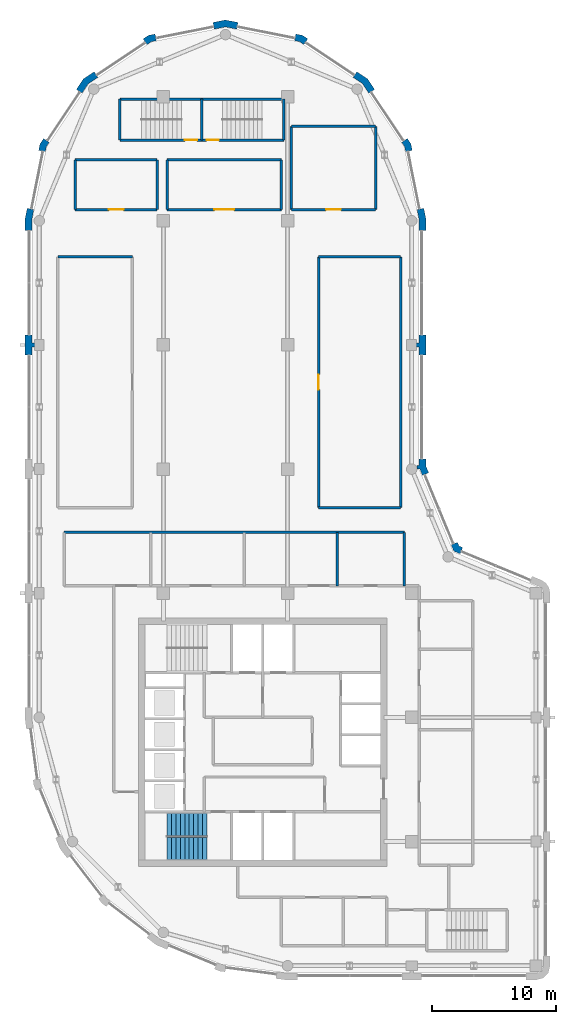
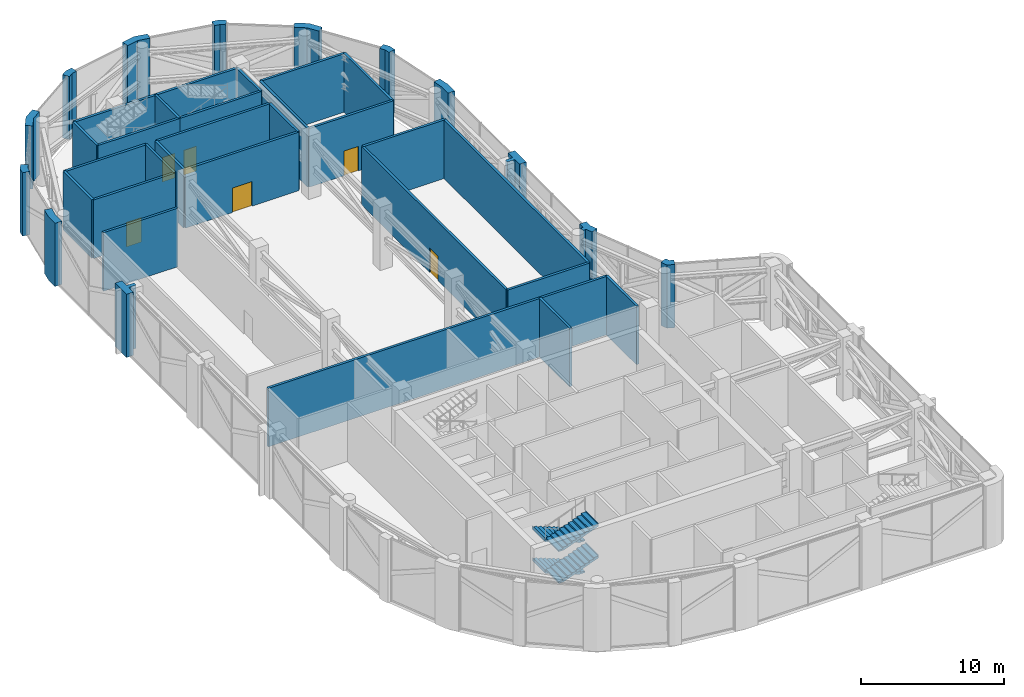
# One storey, part 15 of 18: 40 walls, 6 doors, 4 stair flights, 6 openings, 1 element without a shape of its own.
"""IFC4 building model written with IfcOpenShell, lengths in metres."""

from ifc_helpers import new_model, si_unit, direction, frame, frame_2d, origin, place, context, subcontext, project, spatial, polyline, rectangle, outline, extrude, material, layer, layer_set, type_object, element, fill, aggregate, save


model = new_model("IFC4")

# Units and contexts
model_context = context("Model", 3, precision=1e-05, world=origin(), true_north=direction((0.0, 1.0)))
body_context = subcontext(model_context, "Body", "Model", "MODEL_VIEW")
ifc_project = project(units=[si_unit("LENGTHUNIT", "METRE"), si_unit("AREAUNIT", "SQUARE_METRE"), si_unit("VOLUMEUNIT", "CUBIC_METRE"), si_unit("PLANEANGLEUNIT", "RADIAN"), si_unit("MASSUNIT", "GRAM", prefix="KILO")], contexts=[model_context])

# Site, building, storey
site_placement = place(None, origin())
site = spatial("IfcSite", under=ifc_project, at=site_placement, CompositionType="ELEMENT")
building_placement = place(site_placement, origin())
building = spatial("IfcBuilding", under=site, at=building_placement, Name="Qaws Garden Tower", CompositionType="ELEMENT")
storey_placement = place(building_placement, frame((0.0, 0.0, 352.800048828125)))
storey = spatial("IfcBuildingStorey", under=building, at=storey_placement, Name="L86", CompositionType="ELEMENT", Elevation=352.800048828125)

# Walls
ifc_material_1 = material(Name="Clay facing brick masonry", Category="masonry")
ifc_layer_1 = layer(ifc_material_1, 0.550048828125)
ifc_layer_set_1 = layer_set([ifc_layer_1], Name="Clay facing brick masonry")
wall_type_1 = type_object("IfcWallType", Name="Brick kink pier 550 x 600", PredefinedType="SOLIDWALL", material=ifc_layer_set_1)
placement = place(storey_placement, origin())
element("IfcWall", 1, at=placement, inside=storey, type_object=wall_type_1, Name="E-L86-pier-10", PredefinedType="SOLIDWALL", context=body_context, shape_type="SweptSolid", body=[
    extrude(outline(polyline([(29.8974609375, 65.64111328125), (30.044677734375, 65.67041015625), (29.94140625, 66.18896484375), (29.647705078125, 66.628662109375), (29.52294921875, 66.545166015625), (29.1904296875, 66.322998046875), (29.42333984375, 65.974365234375), (29.505126953125, 65.56298828125), (29.8974609375, 65.64111328125)])), origin(), (0.0, 0.0, 1.0), 5.39990234375),
])
element("IfcWall", 2, at=placement, inside=storey, type_object=wall_type_1, Name="E-L86-pier-12", PredefinedType="SOLIDWALL", context=body_context, shape_type="SweptSolid", body=[
    extrude(outline(polyline([(21.545166015625, 74.52294921875), (21.628662109375, 74.647705078125), (21.18896484375, 74.94140625), (20.67041015625, 75.044677734375), (20.64111328125, 74.8974609375), (20.56298828125, 74.505126953125), (20.974365234375, 74.42333984375), (21.322998046875, 74.1904296875), (21.545166015625, 74.52294921875)])), origin(), (0.0, 0.0, 1.0), 5.39990234375),
])
element("IfcWall", 3, at=placement, inside=storey, type_object=wall_type_1, Name="E-L86-pier-14", PredefinedType="SOLIDWALL", context=body_context, shape_type="SweptSolid", body=[
    extrude(outline(polyline([(9.35888671875, 74.8974609375), (9.32958984375, 75.044677734375), (8.81103515625, 74.94140625), (8.371337890625, 74.647705078125), (8.454833984375, 74.52294921875), (8.677001953125, 74.1904296875), (9.025634765625, 74.42333984375), (9.43701171875, 74.505126953125), (9.35888671875, 74.8974609375)])), origin(), (0.0, 0.0, 1.0), 5.39990234375),
])
element("IfcWall", 4, at=placement, inside=storey, type_object=wall_type_1, Name="E-L86-pier-16", PredefinedType="SOLIDWALL", context=body_context, shape_type="SweptSolid", body=[
    extrude(outline(polyline([(0.47705078125, 66.545166015625), (0.352294921875, 66.628662109375), (0.05859375, 66.18896484375), (-0.044677734375, 65.67041015625), (0.1025390625, 65.64111328125), (0.494873046875, 65.56298828125), (0.57666015625, 65.974365234375), (0.8095703125, 66.322998046875), (0.47705078125, 66.545166015625)])), origin(), (0.0, 0.0, 1.0), 5.39990234375),
])
ifc_material_2 = material(Name="Clay facing brick masonry", Category="masonry")
ifc_layer_2 = layer(ifc_material_2, 0.550048828125)
ifc_layer_set_2 = layer_set([ifc_layer_2], Name="Clay facing brick masonry")
wall_type_2 = type_object("IfcWallType", Name="Brick pier 550 x 1600", PredefinedType="SOLIDWALL", material=ifc_layer_set_2)
element("IfcWall", 5, at=placement, inside=storey, type_object=wall_type_2, Name="E-L86-pier-06", PredefinedType="SOLIDWALL", context=body_context, shape_type="SweptSolid", body=[
    extrude(outline(polyline([(34.05078125, 33.546630859375), (34.108154296875, 33.685302734375), (33.80908203125, 33.80908203125), (33.685302734375, 34.108154296875), (33.546630859375, 34.05078125), (33.177001953125, 33.897705078125), (33.38818359375, 33.38818359375), (33.897705078125, 33.177001953125), (34.05078125, 33.546630859375)])), origin(), (0.0, 0.0, 1.0), 5.39990234375),
])
element("IfcWall", 6, at=placement, inside=storey, type_object=wall_type_2, Name="E-L86-pier-07", PredefinedType="SOLIDWALL", context=body_context, shape_type="SweptSolid", body=[
    extrude(outline(polyline([(30.6201171875, 39.995361328125), (30.6201171875, 40.071044921875), (30.860595703125, 39.490478515625), (31.22998046875, 39.6435546875), (31.36865234375, 39.700927734375), (31.14990234375, 40.228759765625), (31.14990234375, 40.800048828125), (31.0, 40.800048828125), (30.60009765625, 40.800048828125), (30.60009765625, 40.29541015625), (30.425048828125, 40.29541015625), (30.425048828125, 39.995361328125), (30.6201171875, 39.995361328125)])), origin(), (0.0, 0.0, 1.0), 5.39990234375),
])
element("IfcWall", 7, at=placement, inside=storey, type_object=wall_type_2, Name="E-L86-pier-08", PredefinedType="SOLIDWALL", context=body_context, shape_type="SweptSolid", body=[
    extrude(outline(polyline([(30.0, 49.85009765625), (30.60009765625, 49.85009765625), (30.60009765625, 49.199951171875), (31.0, 49.199951171875), (31.14990234375, 49.199951171875), (31.14990234375, 50.0), (31.14990234375, 50.800048828125), (31.0, 50.800048828125), (30.60009765625, 50.800048828125), (30.60009765625, 50.14990234375), (30.0, 50.14990234375), (30.0, 49.85009765625)])), origin(), (0.0, 0.0, 1.0), 5.39990234375),
])
element("IfcWall", 8, at=placement, inside=storey, type_object=wall_type_2, Name="E-L86-pier-09", PredefinedType="SOLIDWALL", context=body_context, shape_type="SweptSolid", body=[
    extrude(outline(polyline([(31.0, 59.199951171875), (31.14990234375, 59.199951171875), (31.14990234375, 60.11328125), (30.971923828125, 61.009033203125), (30.82470703125, 60.979736328125), (30.432373046875, 60.901611328125), (30.60009765625, 60.05908203125), (30.60009765625, 59.199951171875), (31.0, 59.199951171875)])), origin(), (0.0, 0.0, 1.0), 5.39990234375),
])
element("IfcWall", 9, at=placement, inside=storey, type_object=wall_type_2, Name="E-L86-pier-11", PredefinedType="SOLIDWALL", context=body_context, shape_type="SweptSolid", body=[
    extrude(outline(polyline([(26.882568359375, 70.4970703125), (27.00732421875, 70.580322265625), (26.435791015625, 71.435791015625), (25.580322265625, 72.00732421875), (25.4970703125, 71.882568359375), (25.274658203125, 71.550048828125), (26.0390625, 71.0390625), (26.550048828125, 70.274658203125), (26.882568359375, 70.4970703125)])), origin(), (0.0, 0.0, 1.0), 5.39990234375),
])
element("IfcWall", 10, at=placement, inside=storey, type_object=wall_type_2, Name="E-L86-pier-13", PredefinedType="SOLIDWALL", context=body_context, shape_type="SweptSolid", body=[
    extrude(outline(polyline([(15.979736328125, 75.82470703125), (16.009033203125, 75.971923828125), (15.0, 76.172607421875), (13.990966796875, 75.971923828125), (14.020263671875, 75.82470703125), (14.098388671875, 75.432373046875), (15.0, 75.61181640625), (15.901611328125, 75.432373046875), (15.979736328125, 75.82470703125)])), origin(), (0.0, 0.0, 1.0), 5.39990234375),
])
element("IfcWall", 11, at=placement, inside=storey, type_object=wall_type_2, Name="E-L86-pier-15", PredefinedType="SOLIDWALL", context=body_context, shape_type="SweptSolid", body=[
    extrude(outline(polyline([(4.5029296875, 71.882568359375), (4.419677734375, 72.00732421875), (3.564208984375, 71.435791015625), (2.99267578125, 70.580322265625), (3.117431640625, 70.4970703125), (3.449951171875, 70.274658203125), (3.9609375, 71.0390625), (4.725341796875, 71.550048828125), (4.5029296875, 71.882568359375)])), origin(), (0.0, 0.0, 1.0), 5.39990234375),
])
element("IfcWall", 12, at=placement, inside=storey, type_object=wall_type_2, Name="E-L86-pier-17", PredefinedType="SOLIDWALL", context=body_context, shape_type="SweptSolid", body=[
    extrude(outline(polyline([(-0.82470703125, 60.979736328125), (-0.971923828125, 61.009033203125), (-1.14990234375, 60.11328125), (-1.14990234375, 59.199951171875), (-1.0, 59.199951171875), (-0.60009765625, 59.199951171875), (-0.60009765625, 60.05908203125), (-0.432373046875, 60.901611328125), (-0.82470703125, 60.979736328125)])), origin(), (0.0, 0.0, 1.0), 5.39990234375),
])
element("IfcWall", 13, at=placement, inside=storey, type_object=wall_type_2, Name="E-L86-pier-18", PredefinedType="SOLIDWALL", context=body_context, shape_type="SweptSolid", body=[
    extrude(outline(polyline([(-0.60009765625, 49.199951171875), (-0.60009765625, 49.85009765625), (0.0, 49.85009765625), (0.0, 50.14990234375), (-0.60009765625, 50.14990234375), (-0.60009765625, 50.800048828125), (-1.0, 50.800048828125), (-1.14990234375, 50.800048828125), (-1.14990234375, 50.0), (-1.14990234375, 49.199951171875), (-1.0, 49.199951171875), (-0.60009765625, 49.199951171875)])), origin(), (0.0, 0.0, 1.0), 5.39990234375),
])

# Wall, opening, door
ifc_material_3 = material(Name="Concrete C60", Category="concrete")
ifc_layer_3 = layer(ifc_material_3, 0.199951171875)
ifc_layer_set_3 = layer_set([ifc_layer_3], Name="Concrete C60")
wall_type_3 = type_object("IfcWallType", Name="Core shaft wall 200 C60", PredefinedType="SHEAR", material=ifc_layer_set_3)
wall_14_placement = place(storey_placement, frame((6.5, 66.5, 0.0), z_axis=(0.0, 0.0, 1.0), x_axis=(1.0, 0.0, 0.0)))
wall_14 = element("IfcWall", 14, at=wall_14_placement, inside=storey, type_object=wall_type_3, Name="Shaft wall", PredefinedType="SHEAR", context=body_context, shape_type="SweptSolid", body=[
    extrude(rectangle(XDim=6.60009765625, YDim=0.199951171875, at=frame_2d((3.300048828125, 0.0))), origin(), (0.0, 0.0, 1.0), 5.0),
])
opening_1_placement = place(wall_14_placement, frame((5.22509765625, 0.0, 0.0)))
opening_1 = element("IfcOpeningElement", 15, at=opening_1_placement, cuts=wall_14, Name="Opening SD13", PredefinedType="OPENING", context=body_context, shape_type="SweptSolid", body=[
    extrude(rectangle(XDim=1.0, YDim=2.10009765625, at=frame_2d((0.5, 1.050048828125))), frame((0.0, 0.10986328125, 0.0), z_axis=(0.0, -1.0, 0.0), x_axis=(1.0, 0.0, 0.0)), (0.0, 0.0, 1.0), 0.219970703125),
])
ifc_material_4 = material(Name="Steel S235", Category="steel")
door_type_1 = type_object("IfcDoorType", Name="Stair door 1000x2100", OperationType="SINGLE_SWING_RIGHT", PredefinedType="DOOR", material=ifc_material_4)
door_1_placement = place(opening_1_placement, origin())
door_1 = element("IfcDoor", 16, at=door_1_placement, inside=storey, type_object=door_type_1, Name="Stair 6 door", OperationType="SINGLE_SWING_RIGHT", OverallHeight=2.10009765625, OverallWidth=1.0, PredefinedType="DOOR", context=body_context, shape_type="SweptSolid", body=[
    extrude(rectangle(XDim=1.0, YDim=2.10009765625, at=frame_2d((0.5, 1.050048828125))), frame((0.0, 0.02490234375, 0.0), z_axis=(0.0, -1.0, 0.0), x_axis=(1.0, 0.0, 0.0)), (0.0, 0.0, 1.0), 0.050048828125),
])
fill(opening_1, door_1)

wall_15_placement = place(storey_placement, frame((13.10009765625, 66.5, 0.0), z_axis=(0.0, 0.0, 1.0), x_axis=(1.0, 0.0, 0.0)))
wall_15 = element("IfcWall", 17, at=wall_15_placement, inside=storey, type_object=wall_type_3, Name="Shaft wall", PredefinedType="SHEAR", context=body_context, shape_type="SweptSolid", body=[
    extrude(rectangle(XDim=6.599853515625, YDim=0.199951171875, at=frame_2d((3.2998046875, 0.0))), origin(), (0.0, 0.0, 1.0), 5.0),
])
opening_2_placement = place(wall_15_placement, frame((0.375, 0.0, 0.0)))
opening_2 = element("IfcOpeningElement", 18, at=opening_2_placement, cuts=wall_15, Name="Opening SD14", PredefinedType="OPENING", context=body_context, shape_type="SweptSolid", body=[
    extrude(rectangle(XDim=1.0, YDim=2.10009765625, at=frame_2d((0.5, 1.050048828125))), frame((0.0, 0.10986328125, 0.0), z_axis=(0.0, -1.0, 0.0), x_axis=(1.0, 0.0, 0.0)), (0.0, 0.0, 1.0), 0.219970703125),
])
door_2_placement = place(opening_2_placement, origin())
door_2 = element("IfcDoor", 19, at=door_2_placement, inside=storey, type_object=door_type_1, Name="Stair 7 door", OperationType="SINGLE_SWING_LEFT", OverallHeight=2.10009765625, OverallWidth=1.0, PredefinedType="DOOR", context=body_context, shape_type="SweptSolid", body=[
    extrude(rectangle(XDim=1.0, YDim=2.10009765625, at=frame_2d((0.5, 1.050048828125))), frame((0.0, 0.02490234375, 0.0), z_axis=(0.0, -1.0, 0.0), x_axis=(1.0, 0.0, 0.0)), (0.0, 0.0, 1.0), 0.050048828125),
])
fill(opening_2, door_2)

# Walls
wall_16_placement = place(storey_placement, frame((6.5, 69.800048828125, 0.0), z_axis=(0.0, 0.0, 1.0), x_axis=(1.0, 0.0, 0.0)))
element("IfcWall", 20, at=wall_16_placement, inside=storey, type_object=wall_type_3, Name="Shaft wall", PredefinedType="SHEAR", context=body_context, shape_type="SweptSolid", body=[
    extrude(rectangle(XDim=6.60009765625, YDim=0.199951171875, at=frame_2d((3.300048828125, 0.0))), origin(), (0.0, 0.0, 1.0), 5.0),
])
wall_17_placement = place(storey_placement, frame((13.10009765625, 69.800048828125, 0.0), z_axis=(0.0, 0.0, 1.0), x_axis=(1.0, 0.0, 0.0)))
element("IfcWall", 21, at=wall_17_placement, inside=storey, type_object=wall_type_3, Name="Shaft wall", PredefinedType="SHEAR", context=body_context, shape_type="SweptSolid", body=[
    extrude(rectangle(XDim=6.599853515625, YDim=0.199951171875, at=frame_2d((3.2998046875, 0.0))), origin(), (0.0, 0.0, 1.0), 5.0),
])
for number, where, z_axis, x_axis, name in (
    (22, (6.5, 66.5, 0.0), (0.0, 0.0, 1.0), (0.0, 1.0, 0.0), "Shaft wall"),
    (23, (13.10009765625, 66.5, 0.0), (0.0, 0.0, 1.0), (0.0, 1.0, 0.0), "Shaft wall"),
    (24, (19.699951171875, 66.5, 0.0), (0.0, 0.0, 1.0), (0.0, 1.0, 0.0), "Shaft wall"),
):
    element("IfcWall", number, at=place(storey_placement, frame(where, z_axis=z_axis, x_axis=x_axis)), inside=storey, type_object=wall_type_3, Name=name, PredefinedType="SHEAR", context=body_context, shape_type="SweptSolid", body=[
        extrude(rectangle(XDim=3.300048828125, YDim=0.199951171875, at=frame_2d((1.64990234375, 0.0))), origin(), (0.0, 0.0, 1.0), 5.0),
    ])
ifc_material_5 = material(Name="Blockwork", Category="masonry")
ifc_layer_4 = layer(ifc_material_5, 0.199951171875)
ifc_layer_set_4 = layer_set([ifc_layer_4], Name="Blockwork")
wall_type_4 = type_object("IfcWallType", Name="Plant compartment wall 200", PredefinedType="PARTITIONING", material=ifc_layer_set_4)
wall_18_placement = place(storey_placement, frame((1.5, 57.10009765625, 0.0), z_axis=(0.0, 0.0, 1.0), x_axis=(1.0, 0.0, 0.0)))
element("IfcWall", 25, at=wall_18_placement, inside=storey, type_object=wall_type_4, Name="Plant zone wall", PredefinedType="PARTITIONING", context=body_context, shape_type="SweptSolid", body=[
    extrude(rectangle(XDim=6.0, YDim=0.199951171875, at=frame_2d((3.0, 0.0))), origin(), (0.0, 0.0, 1.0), 5.0),
])
wall_19_placement = place(storey_placement, frame((2.0, 34.89990234375, 0.0), z_axis=(0.0, 0.0, 1.0), x_axis=(1.0, 0.0, 0.0)))
element("IfcWall", 26, at=wall_19_placement, inside=storey, type_object=wall_type_4, Name="Plant zone wall", PredefinedType="PARTITIONING", context=body_context, shape_type="SweptSolid", body=[
    extrude(rectangle(XDim=27.39990234375, YDim=0.199951171875, at=frame_2d((13.699951171875, 0.0))), origin(), (0.0, 0.0, 1.0), 5.0),
])

# Wall, opening, door
wall_20_placement = place(storey_placement, frame((2.89990234375, 60.89990234375, 0.0), z_axis=(0.0, 0.0, 1.0), x_axis=(1.0, 0.0, 0.0)))
wall_20 = element("IfcWall", 27, at=wall_20_placement, inside=storey, type_object=wall_type_4, Name="Plant zone wall", PredefinedType="PARTITIONING", context=body_context, shape_type="SweptSolid", body=[
    extrude(rectangle(XDim=6.60009765625, YDim=0.199951171875, at=frame_2d((3.300048828125, 0.0))), origin(), (0.0, 0.0, 1.0), 5.0),
])
opening_3_placement = place(wall_20_placement, frame((2.699951171875, 0.0, 0.0)))
opening_3 = element("IfcOpeningElement", 28, at=opening_3_placement, cuts=wall_20, Name="Opening PZ8611", PredefinedType="OPENING", context=body_context, shape_type="SweptSolid", body=[
    extrude(rectangle(XDim=1.199951171875, YDim=2.10009765625, at=frame_2d((0.60009765625, 1.050048828125))), frame((0.0, 0.10986328125, 0.0), z_axis=(0.0, -1.0, 0.0), x_axis=(1.0, 0.0, 0.0)), (0.0, 0.0, 1.0), 0.219970703125),
])
ifc_material_6 = material(Name="Steel S235", Category="steel")
door_type_2 = type_object("IfcDoorType", Name="Plant door 1200x2100", OperationType="DOUBLE_DOOR_SINGLE_SWING", PredefinedType="DOOR", material=ifc_material_6)
door_3_placement = place(opening_3_placement, origin())
door_3 = element("IfcDoor", 29, at=door_3_placement, inside=storey, type_object=door_type_2, Name="Air handling plant room door", OperationType="DOUBLE_DOOR_SINGLE_SWING", OverallHeight=2.10009765625, OverallWidth=1.199951171875, PredefinedType="DOOR", context=body_context, shape_type="SweptSolid", body=[
    extrude(rectangle(XDim=1.199951171875, YDim=2.10009765625, at=frame_2d((0.60009765625, 1.050048828125))), frame((0.0, 0.02490234375, 0.0), z_axis=(0.0, -1.0, 0.0), x_axis=(1.0, 0.0, 0.0)), (0.0, 0.0, 1.0), 0.050048828125),
])
fill(opening_3, door_3)

# Wall
wall_21_placement = place(storey_placement, frame((2.89990234375, 64.89990234375, 0.0), z_axis=(0.0, 0.0, 1.0), x_axis=(1.0, 0.0, 0.0)))
element("IfcWall", 30, at=wall_21_placement, inside=storey, type_object=wall_type_4, Name="Plant zone wall", PredefinedType="PARTITIONING", context=body_context, shape_type="SweptSolid", body=[
    extrude(rectangle(XDim=6.60009765625, YDim=0.199951171875, at=frame_2d((3.300048828125, 0.0))), origin(), (0.0, 0.0, 1.0), 5.0),
])

# Wall, opening, door
wall_22_placement = place(storey_placement, frame((10.300048828125, 60.89990234375, 0.0), z_axis=(0.0, 0.0, 1.0), x_axis=(1.0, 0.0, 0.0)))
wall_22 = element("IfcWall", 31, at=wall_22_placement, inside=storey, type_object=wall_type_4, Name="Plant zone wall", PredefinedType="PARTITIONING", context=body_context, shape_type="SweptSolid", body=[
    extrude(rectangle(XDim=9.199951171875, YDim=0.199951171875, at=frame_2d((4.60009765625, 0.0))), origin(), (0.0, 0.0, 1.0), 5.0),
])
opening_4_placement = place(wall_22_placement, frame((3.800048828125, 0.0, 0.0)))
opening_4 = element("IfcOpeningElement", 32, at=opening_4_placement, cuts=wall_22, Name="Opening PZ8612", PredefinedType="OPENING", context=body_context, shape_type="SweptSolid", body=[
    extrude(rectangle(XDim=1.60009765625, YDim=2.10009765625, at=frame_2d((0.800048828125, 1.050048828125))), frame((0.0, 0.10986328125, 0.0), z_axis=(0.0, -1.0, 0.0), x_axis=(1.0, 0.0, 0.0)), (0.0, 0.0, 1.0), 0.219970703125),
])
ifc_material_7 = material(Name="Steel S235", Category="steel")
door_type_3 = type_object("IfcDoorType", Name="Plant door 1600x2100", OperationType="DOUBLE_DOOR_DOUBLE_SWING", PredefinedType="DOOR", material=ifc_material_7)
door_4_placement = place(opening_4_placement, origin())
door_4 = element("IfcDoor", 33, at=door_4_placement, inside=storey, type_object=door_type_3, Name="Chiller plant room door", OperationType="DOUBLE_DOOR_DOUBLE_SWING", OverallHeight=2.10009765625, OverallWidth=1.60009765625, PredefinedType="DOOR", context=body_context, shape_type="SweptSolid", body=[
    extrude(rectangle(XDim=1.60009765625, YDim=2.10009765625, at=frame_2d((0.800048828125, 1.050048828125))), frame((0.0, 0.02490234375, 0.0), z_axis=(0.0, -1.0, 0.0), x_axis=(1.0, 0.0, 0.0)), (0.0, 0.0, 1.0), 0.050048828125),
])
fill(opening_4, door_4)

# Wall
wall_23_placement = place(storey_placement, frame((10.300048828125, 64.89990234375, 0.0), z_axis=(0.0, 0.0, 1.0), x_axis=(1.0, 0.0, 0.0)))
element("IfcWall", 34, at=wall_23_placement, inside=storey, type_object=wall_type_4, Name="Plant zone wall", PredefinedType="PARTITIONING", context=body_context, shape_type="SweptSolid", body=[
    extrude(rectangle(XDim=9.199951171875, YDim=0.199951171875, at=frame_2d((4.60009765625, 0.0))), origin(), (0.0, 0.0, 1.0), 5.0),
])

# Wall, opening, door
wall_24_placement = place(storey_placement, frame((20.300048828125, 60.89990234375, 0.0), z_axis=(0.0, 0.0, 1.0), x_axis=(1.0, 0.0, 0.0)))
wall_24 = element("IfcWall", 35, at=wall_24_placement, inside=storey, type_object=wall_type_4, Name="Plant zone wall", PredefinedType="PARTITIONING", context=body_context, shape_type="SweptSolid", body=[
    extrude(rectangle(XDim=6.800048828125, YDim=0.199951171875, at=frame_2d((3.39990234375, 0.0))), origin(), (0.0, 0.0, 1.0), 5.0),
])
opening_5_placement = place(wall_24_placement, frame((2.800048828125, 0.0, 0.0)))
opening_5 = element("IfcOpeningElement", 36, at=opening_5_placement, cuts=wall_24, Name="Opening PZ8613", PredefinedType="OPENING", context=body_context, shape_type="SweptSolid", body=[
    extrude(rectangle(XDim=1.199951171875, YDim=2.10009765625, at=frame_2d((0.60009765625, 1.050048828125))), frame((0.0, 0.10986328125, 0.0), z_axis=(0.0, -1.0, 0.0), x_axis=(1.0, 0.0, 0.0)), (0.0, 0.0, 1.0), 0.219970703125),
])
door_5_placement = place(opening_5_placement, origin())
door_5 = element("IfcDoor", 37, at=door_5_placement, inside=storey, type_object=door_type_2, Name="Cooling pump plant room door", OperationType="DOUBLE_DOOR_SINGLE_SWING", OverallHeight=2.10009765625, OverallWidth=1.199951171875, PredefinedType="DOOR", context=body_context, shape_type="SweptSolid", body=[
    extrude(rectangle(XDim=1.199951171875, YDim=2.10009765625, at=frame_2d((0.60009765625, 1.050048828125))), frame((0.0, 0.02490234375, 0.0), z_axis=(0.0, -1.0, 0.0), x_axis=(1.0, 0.0, 0.0)), (0.0, 0.0, 1.0), 0.050048828125),
])
fill(opening_5, door_5)

# Walls
wall_25_placement = place(storey_placement, frame((20.300048828125, 67.60009765625, 0.0), z_axis=(0.0, 0.0, 1.0), x_axis=(1.0, 0.0, 0.0)))
element("IfcWall", 38, at=wall_25_placement, inside=storey, type_object=wall_type_4, Name="Plant zone wall", PredefinedType="PARTITIONING", context=body_context, shape_type="SweptSolid", body=[
    extrude(rectangle(XDim=6.800048828125, YDim=0.199951171875, at=frame_2d((3.39990234375, 0.0))), origin(), (0.0, 0.0, 1.0), 5.0),
])
for number, where, z_axis, x_axis, name in (
    (39, (22.5, 36.89990234375, 0.0), (0.0, 0.0, 1.0), (1.0, 0.0, 0.0), "Plant zone wall"),
    (40, (22.5, 57.10009765625, 0.0), (0.0, 0.0, 1.0), (1.0, 0.0, 0.0), "Plant zone wall"),
):
    element("IfcWall", number, at=place(storey_placement, frame(where, z_axis=z_axis, x_axis=x_axis)), inside=storey, type_object=wall_type_4, Name=name, PredefinedType="PARTITIONING", context=body_context, shape_type="SweptSolid", body=[
        extrude(rectangle(XDim=6.60009765625, YDim=0.199951171875, at=frame_2d((3.300048828125, 0.0))), origin(), (0.0, 0.0, 1.0), 5.0),
    ])
for number, where, z_axis, x_axis, name in (
    (41, (2.89990234375, 60.89990234375, 0.0), (0.0, 0.0, 1.0), (0.0, 1.0, 0.0), "Plant zone wall"),
    (42, (9.5, 60.89990234375, 0.0), (0.0, 0.0, 1.0), (0.0, 1.0, 0.0), "Plant zone wall"),
    (43, (10.300048828125, 60.89990234375, 0.0), (0.0, 0.0, 1.0), (0.0, 1.0, 0.0), "Plant zone wall"),
    (44, (19.5, 60.89990234375, 0.0), (0.0, 0.0, 1.0), (0.0, 1.0, 0.0), "Plant zone wall"),
):
    element("IfcWall", number, at=place(storey_placement, frame(where, z_axis=z_axis, x_axis=x_axis)), inside=storey, type_object=wall_type_4, Name=name, PredefinedType="PARTITIONING", context=body_context, shape_type="SweptSolid", body=[
        extrude(rectangle(XDim=4.0, YDim=0.199951171875, at=frame_2d((2.0, 0.0))), origin(), (0.0, 0.0, 1.0), 5.0),
    ])
wall_26_placement = place(storey_placement, frame((20.300048828125, 60.89990234375, 0.0), z_axis=(0.0, 0.0, 1.0), x_axis=(0.0, 1.0, 0.0)))
element("IfcWall", 45, at=wall_26_placement, inside=storey, type_object=wall_type_4, Name="Plant zone wall", PredefinedType="PARTITIONING", context=body_context, shape_type="SweptSolid", body=[
    extrude(rectangle(XDim=6.7001953125, YDim=0.199951171875, at=frame_2d((3.35009765625, 0.0))), origin(), (0.0, 0.0, 1.0), 5.0),
])

# Wall, opening, door
wall_27_placement = place(storey_placement, frame((22.5, 36.89990234375, 0.0), z_axis=(0.0, 0.0, 1.0), x_axis=(0.0, 1.0, 0.0)))
wall_27 = element("IfcWall", 46, at=wall_27_placement, inside=storey, type_object=wall_type_4, Name="Plant zone wall", PredefinedType="PARTITIONING", context=body_context, shape_type="SweptSolid", body=[
    extrude(rectangle(XDim=20.2001953125, YDim=0.199951171875, at=frame_2d((10.10009765625, 0.0))), origin(), (0.0, 0.0, 1.0), 5.0),
])
opening_6_placement = place(wall_27_placement, frame((9.5, 0.0, 0.0)))
opening_6 = element("IfcOpeningElement", 47, at=opening_6_placement, cuts=wall_27, Name="Opening PZ8615", PredefinedType="OPENING", context=body_context, shape_type="SweptSolid", body=[
    extrude(rectangle(XDim=1.199951171875, YDim=2.10009765625, at=frame_2d((0.60009765625, 1.050048828125))), frame((0.0, 0.10986328125, 0.0), z_axis=(0.0, -1.0, 0.0), x_axis=(1.0, 0.0, 0.0)), (0.0, 0.0, 1.0), 0.219970703125),
])
door_6_placement = place(opening_6_placement, origin())
door_6 = element("IfcDoor", 48, at=door_6_placement, inside=storey, type_object=door_type_2, Name="Generator plant room door", OperationType="DOUBLE_DOOR_SINGLE_SWING", OverallHeight=2.10009765625, OverallWidth=1.199951171875, PredefinedType="DOOR", context=body_context, shape_type="SweptSolid", body=[
    extrude(rectangle(XDim=1.199951171875, YDim=2.10009765625, at=frame_2d((0.60009765625, 1.050048828125))), frame((0.0, 0.02490234375, 0.0), z_axis=(0.0, -1.0, 0.0), x_axis=(1.0, 0.0, 0.0)), (0.0, 0.0, 1.0), 0.050048828125),
])
fill(opening_6, door_6)

# Walls
wall_28_placement = place(storey_placement, frame((24.0, 30.60009765625, 0.0), z_axis=(0.0, 0.0, 1.0), x_axis=(0.0, 1.0, 0.0)))
element("IfcWall", 49, at=wall_28_placement, inside=storey, type_object=wall_type_4, Name="Plant zone wall", PredefinedType="PARTITIONING", context=body_context, shape_type="SweptSolid", body=[
    extrude(rectangle(XDim=4.2998046875, YDim=0.199951171875, at=frame_2d((2.14990234375, 0.0))), origin(), (0.0, 0.0, 1.0), 5.0),
])
wall_29_placement = place(storey_placement, frame((27.10009765625, 60.89990234375, 0.0), z_axis=(0.0, 0.0, 1.0), x_axis=(0.0, 1.0, 0.0)))
element("IfcWall", 50, at=wall_29_placement, inside=storey, type_object=wall_type_4, Name="Plant zone wall", PredefinedType="PARTITIONING", context=body_context, shape_type="SweptSolid", body=[
    extrude(rectangle(XDim=6.7001953125, YDim=0.199951171875, at=frame_2d((3.35009765625, 0.0))), origin(), (0.0, 0.0, 1.0), 5.0),
])
wall_30_placement = place(storey_placement, frame((29.10009765625, 36.89990234375, 0.0), z_axis=(0.0, 0.0, 1.0), x_axis=(0.0, 1.0, 0.0)))
element("IfcWall", 51, at=wall_30_placement, inside=storey, type_object=wall_type_4, Name="Plant zone wall", PredefinedType="PARTITIONING", context=body_context, shape_type="SweptSolid", body=[
    extrude(rectangle(XDim=20.2001953125, YDim=0.199951171875, at=frame_2d((10.10009765625, 0.0))), origin(), (0.0, 0.0, 1.0), 5.0),
])
wall_31_placement = place(storey_placement, frame((29.39990234375, 30.60009765625, 0.0), z_axis=(0.0, 0.0, 1.0), x_axis=(0.0, 1.0, 0.0)))
element("IfcWall", 52, at=wall_31_placement, inside=storey, type_object=wall_type_4, Name="Plant zone wall", PredefinedType="PARTITIONING", context=body_context, shape_type="SweptSolid", body=[
    extrude(rectangle(XDim=4.2998046875, YDim=0.199951171875, at=frame_2d((2.14990234375, 0.0))), origin(), (0.0, 0.0, 1.0), 5.0),
])

# Stair, stair flights
ifc_material_8 = material(Name="Concrete C40", Category="concrete")
stair_type = type_object("IfcStairType", Name="Exit stair 1500", PredefinedType="HALF_TURN_STAIR", material=ifc_material_8)
stair = element("IfcStair", 53, at=placement, inside=storey, type_object=stair_type, Name="Stair 1", PredefinedType="HALF_TURN_STAIR")
ifc_material_9 = material(Name="Concrete C40", Category="concrete")
stair_flight_type = type_object("IfcStairFlightType", Name="Stair flight 1500", PredefinedType="STRAIGHT", material=ifc_material_9)
stair_flight_1_placement = place(storey_placement, frame((13.5, 11.35009765625, 0.0), z_axis=(0.0, 0.0, 1.0), x_axis=(-1.0, 0.0, 0.0)))
stair_flight_1 = element("IfcStairFlight", 54, at=stair_flight_1_placement, type_object=stair_flight_type, Name="ST1 flight 1", NumberOfRisers=10, NumberOfTreads=9, PredefinedType="STRAIGHT", RiserHeight=0.135, TreadLength=0.356, context=body_context, shape_type="SweptSolid", body=[
    extrude(outline(polyline([(-0.0029296875, 0.0), (-0.0029296875, 0.135009765625), (0.0, 0.135009765625), (0.35595703125, 0.135009765625), (0.35595703125, 0.27001953125), (0.7119140625, 0.27001953125), (0.7119140625, 0.405029296875), (1.068115234375, 0.405029296875), (1.068115234375, 0.5400390625), (1.424072265625, 0.5400390625), (1.424072265625, 0.675048828125), (1.780029296875, 0.675048828125), (1.780029296875, 0.81005859375), (2.135986328125, 0.81005859375), (2.135986328125, 0.945068359375), (2.491943359375, 0.945068359375), (2.491943359375, 1.080078125), (2.847900390625, 1.080078125), (2.847900390625, 1.215087890625), (3.2041015625, 1.215087890625), (3.2041015625, 1.35009765625), (3.20703125, 1.35009765625), (3.20703125, 1.0546875), (3.2041015625, 1.0546875), (0.4228515625, 0.0), (-0.0029296875, 0.0)])), frame((0.0, 0.89501953125, 0.0), z_axis=(0.0, -1.0, 0.0), x_axis=(1.0, 0.0, 0.0)), (0.0, 0.0, 1.0), 1.7900390625),
])
stair_flight_2_placement = place(storey_placement, frame((10.2958984375, 9.449951171875, 1.349853515625), z_axis=(0.0, 0.0, 1.0), x_axis=(1.0, 0.0, 0.0)))
stair_flight_2 = element("IfcStairFlight", 55, at=stair_flight_2_placement, type_object=stair_flight_type, Name="ST1 flight 2", NumberOfRisers=10, NumberOfTreads=9, PredefinedType="STRAIGHT", RiserHeight=0.135, TreadLength=0.356, context=body_context, shape_type="SweptSolid", body=[
    extrude(outline(polyline([(-0.0029296875, 0.0), (-0.0029296875, 0.135009765625), (0.0, 0.135009765625), (0.35595703125, 0.135009765625), (0.35595703125, 0.27001953125), (0.7119140625, 0.27001953125), (0.7119140625, 0.405029296875), (1.068115234375, 0.405029296875), (1.068115234375, 0.5400390625), (1.424072265625, 0.5400390625), (1.424072265625, 0.675048828125), (1.780029296875, 0.675048828125), (1.780029296875, 0.81005859375), (2.135986328125, 0.81005859375), (2.135986328125, 0.945068359375), (2.491943359375, 0.945068359375), (2.491943359375, 1.080078125), (2.847900390625, 1.080078125), (2.847900390625, 1.215087890625), (3.2041015625, 1.215087890625), (3.2041015625, 1.35009765625), (3.20703125, 1.35009765625), (3.20703125, 1.0546875), (3.2041015625, 1.0546875), (0.4228515625, 0.0), (-0.0029296875, 0.0)])), frame((0.0, 0.89501953125, 0.0), z_axis=(0.0, -1.0, 0.0), x_axis=(1.0, 0.0, 0.0)), (0.0, 0.0, 1.0), 1.7900390625),
])
stair_flight_3_placement = place(storey_placement, frame((13.5, 11.35009765625, 2.699951171875), z_axis=(0.0, 0.0, 1.0), x_axis=(-1.0, 0.0, 0.0)))
stair_flight_3 = element("IfcStairFlight", 56, at=stair_flight_3_placement, type_object=stair_flight_type, Name="ST1 flight 3", NumberOfRisers=10, NumberOfTreads=9, PredefinedType="STRAIGHT", RiserHeight=0.135, TreadLength=0.356, context=body_context, shape_type="SweptSolid", body=[
    extrude(outline(polyline([(-0.0029296875, 0.0), (-0.0029296875, 0.135009765625), (0.0, 0.135009765625), (0.35595703125, 0.135009765625), (0.35595703125, 0.27001953125), (0.7119140625, 0.27001953125), (0.7119140625, 0.405029296875), (1.068115234375, 0.405029296875), (1.068115234375, 0.5400390625), (1.424072265625, 0.5400390625), (1.424072265625, 0.675048828125), (1.780029296875, 0.675048828125), (1.780029296875, 0.81005859375), (2.135986328125, 0.81005859375), (2.135986328125, 0.945068359375), (2.491943359375, 0.945068359375), (2.491943359375, 1.080078125), (2.847900390625, 1.080078125), (2.847900390625, 1.215087890625), (3.2041015625, 1.215087890625), (3.2041015625, 1.35009765625), (3.20703125, 1.35009765625), (3.20703125, 1.0546875), (3.2041015625, 1.0546875), (0.4228515625, 0.0), (-0.0029296875, 0.0)])), frame((0.0, 0.89501953125, 0.0), z_axis=(0.0, -1.0, 0.0), x_axis=(1.0, 0.0, 0.0)), (0.0, 0.0, 1.0), 1.7900390625),
])
stair_flight_4_placement = place(storey_placement, frame((10.2958984375, 9.449951171875, 4.050048828125), z_axis=(0.0, 0.0, 1.0), x_axis=(1.0, 0.0, 0.0)))
stair_flight_4 = element("IfcStairFlight", 57, at=stair_flight_4_placement, type_object=stair_flight_type, Name="ST1 flight 4", NumberOfRisers=10, NumberOfTreads=9, PredefinedType="STRAIGHT", RiserHeight=0.135, TreadLength=0.356, context=body_context, shape_type="SweptSolid", body=[
    extrude(outline(polyline([(-0.0029296875, 0.0), (-0.0029296875, 0.135009765625), (0.0, 0.135009765625), (0.35595703125, 0.135009765625), (0.35595703125, 0.27001953125), (0.7119140625, 0.27001953125), (0.7119140625, 0.405029296875), (1.068115234375, 0.405029296875), (1.068115234375, 0.5400390625), (1.424072265625, 0.5400390625), (1.424072265625, 0.675048828125), (1.780029296875, 0.675048828125), (1.780029296875, 0.81005859375), (2.135986328125, 0.81005859375), (2.135986328125, 0.945068359375), (2.491943359375, 0.945068359375), (2.491943359375, 1.080078125), (2.847900390625, 1.080078125), (2.847900390625, 1.215087890625), (3.2041015625, 1.215087890625), (3.2041015625, 1.35009765625), (3.20703125, 1.35009765625), (3.20703125, 1.0546875), (3.2041015625, 1.0546875), (0.4228515625, 0.0), (-0.0029296875, 0.0)])), frame((0.0, 0.89501953125, 0.0), z_axis=(0.0, -1.0, 0.0), x_axis=(1.0, 0.0, 0.0)), (0.0, 0.0, 1.0), 1.7900390625),
])
aggregate(stair, [stair_flight_1, stair_flight_2, stair_flight_3, stair_flight_4])

save(model, "model.ifc")
